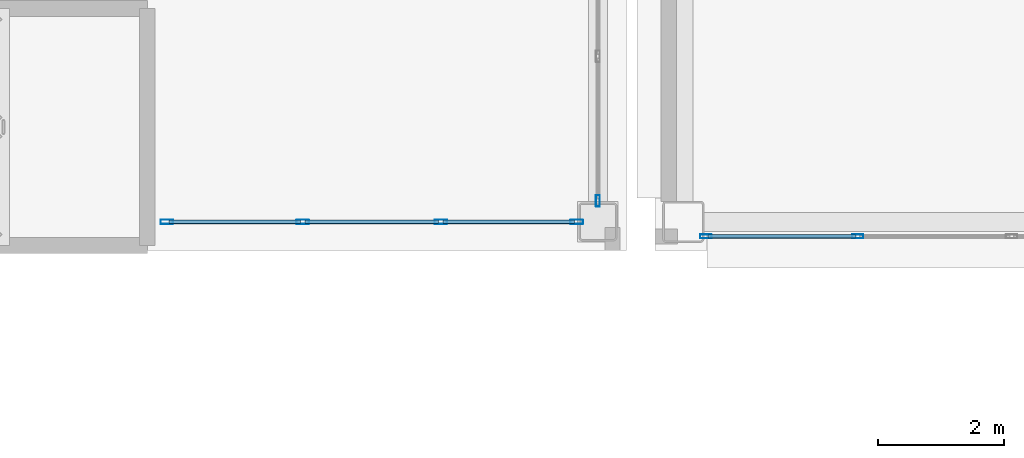
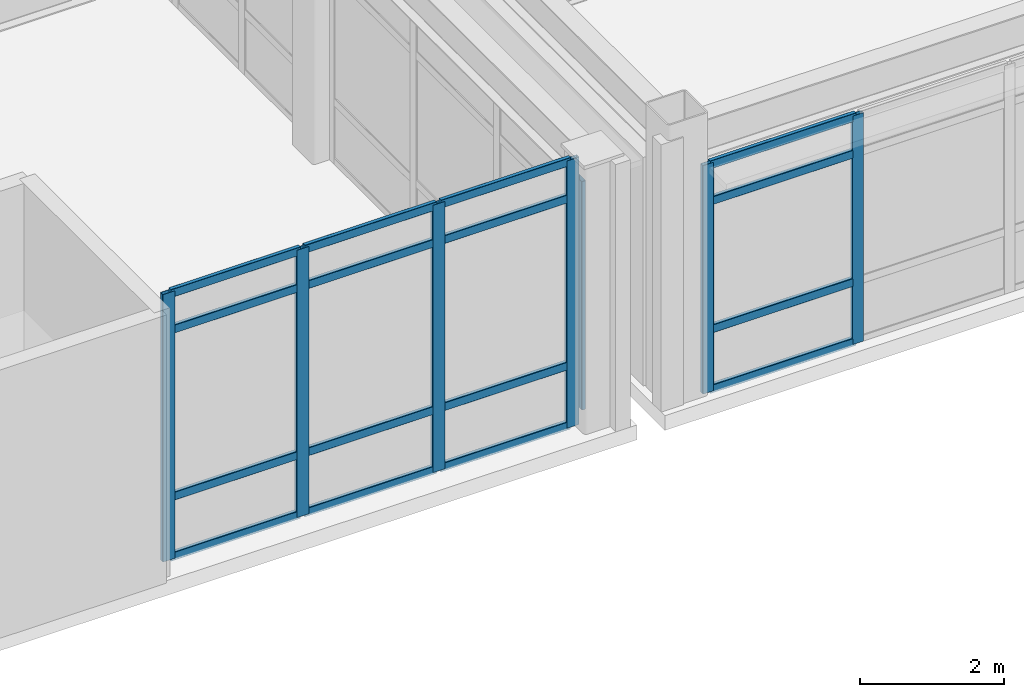
# One storey, part 15 of 172: 23 members, 3 elements without a shape of their own.
"""IFC4 building model written with IfcOpenShell, lengths in metres."""

from ifc_helpers import new_model, si_unit, direction, frame, origin, origin_2d, place, context, subcontext, project, spatial, hollow_rectangle, extrude, material, layer, layer_set, material_profile, profile_set, type_object, element, aggregate, save


model = new_model("IFC4")

# Units and contexts
model_context = context("Model", 3, precision=1e-05, world=origin(), true_north=direction((0.0, 1.0)))
body_context = subcontext(model_context, "Body", "Model", "MODEL_VIEW")
ifc_project = project(units=[si_unit("LENGTHUNIT", "METRE"), si_unit("AREAUNIT", "SQUARE_METRE"), si_unit("VOLUMEUNIT", "CUBIC_METRE"), si_unit("PLANEANGLEUNIT", "RADIAN"), si_unit("MASSUNIT", "GRAM", prefix="KILO")], contexts=[model_context])

# Site, building, storey
site_placement = place(None, origin())
site = spatial("IfcSite", under=ifc_project, at=site_placement, CompositionType="ELEMENT")
building_placement = place(site_placement, origin())
building = spatial("IfcBuilding", under=site, at=building_placement, Name="Kazehara Bluff Congress Hotel", CompositionType="ELEMENT")
storey_placement = place(building_placement, frame((0.0, 0.0, 5.39990234375)))
storey = spatial("IfcBuildingStorey", under=building, at=storey_placement, Name="L01", CompositionType="ELEMENT", Elevation=5.39990234375)

# Curtain wall, member
ifc_material_1 = material(Name="Anodised aluminium", Category="aluminium")
ifc_layer_1 = layer(ifc_material_1, 0.159912109375)
ifc_layer_set_1 = layer_set([ifc_layer_1], Name="Anodised aluminium")
curtain_wall_type_1 = type_object("IfcCurtainWallType", Name="TP-CW-33", PredefinedType="NOTDEFINED", material=ifc_layer_set_1)
curtain_wall_1_placement = place(storey_placement, origin())
curtain_wall_1 = element("IfcCurtainWall", 1, at=curtain_wall_1_placement, inside=storey, type_object=curtain_wall_type_1, Name="L01 curtain wall CW-33 CW-V2-L01-X5835-75", PredefinedType="NOTDEFINED")
ifc_material_2 = material(Name="Anodised aluminium", Category="aluminium")
ifc_material_profile_1 = material_profile(ifc_material_2, hollow_rectangle(XDim=0.06494140625, YDim=0.179931640625, WallThickness=0.00390625, InnerFilletRadius=0.00390625, OuterFilletRadius=0.008056640625, at=origin_2d()))
ifc_profile_set_1 = profile_set([ifc_material_profile_1], Name="Anodised aluminium")
member_type_1 = type_object("IfcMemberType", Name="TP-CWM-02", PredefinedType="MULLION", material=ifc_profile_set_1)
member_1_placement = place(storey_placement, frame((58.35009765625, 0.782470703125, 0.0), z_axis=(0.0, 0.0, 1.0), x_axis=(-1.0, 0.0, 0.0)))
member_1 = element("IfcMember", 2, at=member_1_placement, type_object=member_type_1, Name="CW-33 mullion 1", PredefinedType="MULLION", context=body_context, shape_type="SweptSolid", body=[
    extrude(hollow_rectangle(XDim=0.06494140625, YDim=0.179931640625, WallThickness=0.00390625, InnerFilletRadius=0.00390625, OuterFilletRadius=0.008056640625, at=origin_2d()), origin(), (0.0, 0.0, 1.0), 3.875),
])
aggregate(curtain_wall_1, [member_1])

# Curtain wall, members
ifc_material_3 = material(Name="Anodised aluminium", Category="aluminium")
ifc_layer_2 = layer(ifc_material_3, 0.159912109375)
ifc_layer_set_2 = layer_set([ifc_layer_2], Name="Anodised aluminium")
curtain_wall_type_2 = type_object("IfcCurtainWallType", Name="TP-CW-80", PredefinedType="NOTDEFINED", material=ifc_layer_set_2)
curtain_wall_2_placement = place(storey_placement, origin())
curtain_wall_2 = element("IfcCurtainWall", 3, at=curtain_wall_2_placement, inside=storey, type_object=curtain_wall_type_2, Name="L01 curtain wall CW-80 CW-ENC-V4-L01-6368-22", PredefinedType="NOTDEFINED")
member_2_placement = place(storey_placement, frame((62.458251953125, 0.219970703125, 0.0), z_axis=(0.0, 0.0, 1.0), x_axis=(0.0, -1.0, 0.0)))
member_2 = element("IfcMember", 4, at=member_2_placement, type_object=member_type_1, Name="CW-80 mullion 3", PredefinedType="MULLION", context=body_context, shape_type="SweptSolid", body=[
    extrude(hollow_rectangle(XDim=0.06494140625, YDim=0.179931640625, WallThickness=0.00390625, InnerFilletRadius=0.00390625, OuterFilletRadius=0.008056640625, at=origin_2d()), origin(), (0.0, 0.0, 1.0), 3.875),
])
member_3_placement = place(storey_placement, frame((60.0576171875, 0.219970703125, 0.0), z_axis=(0.0, 0.0, 1.0), x_axis=(0.0, -1.0, 0.0)))
member_3 = element("IfcMember", 5, at=member_3_placement, type_object=member_type_1, Name="CW-80 mullion 4", PredefinedType="MULLION", context=body_context, shape_type="SweptSolid", body=[
    extrude(hollow_rectangle(XDim=0.06494140625, YDim=0.179931640625, WallThickness=0.00390625, InnerFilletRadius=0.00390625, OuterFilletRadius=0.008056640625, at=origin_2d()), origin(), (0.0, 0.0, 1.0), 3.875),
])

ifc_material_4 = material(Name="Anodised aluminium", Category="aluminium")
ifc_layer_3 = layer(ifc_material_4, 0.159912109375)
ifc_layer_set_3 = layer_set([ifc_layer_3], Name="Anodised aluminium")
curtain_wall_type_3 = type_object("IfcCurtainWallType", Name="TP-CW-30", PredefinedType="NOTDEFINED", material=ifc_layer_set_3)
curtain_wall_3_placement = place(storey_placement, origin())
curtain_wall_3 = element("IfcCurtainWall", 6, at=curtain_wall_3_placement, inside=storey, type_object=curtain_wall_type_3, Name="L01 curtain wall CW-30 CW-V2-L01-Y45-5150", PredefinedType="NOTDEFINED")
ifc_material_5 = material(Name="Anodised aluminium", Category="aluminium")
ifc_material_profile_2 = material_profile(ifc_material_5, hollow_rectangle(XDim=0.070068359375, YDim=0.199951171875, WallThickness=0.0048828125, InnerFilletRadius=0.0048828125, OuterFilletRadius=0.010009765625, at=origin_2d()))
ifc_profile_set_2 = profile_set([ifc_material_profile_2], Name="Anodised aluminium")
member_type_2 = type_object("IfcMemberType", Name="TP-CWM-03", PredefinedType="MULLION", material=ifc_profile_set_2)
member_4_placement = place(storey_placement, frame((51.534912109375, 0.449951171875, 0.0), z_axis=(0.0, 0.0, 1.0), x_axis=(0.0, 1.0, 0.0)))
member_4 = element("IfcMember", 7, at=member_4_placement, type_object=member_type_2, Name="CW-30 mullion 1", PredefinedType="MULLION", context=body_context, shape_type="SweptSolid", body=[
    extrude(hollow_rectangle(XDim=0.070068359375, YDim=0.199951171875, WallThickness=0.0048828125, InnerFilletRadius=0.0048828125, OuterFilletRadius=0.010009765625, at=origin_2d()), origin(), (0.0, 0.0, 1.0), 4.53515625),
])
member_5_placement = place(storey_placement, frame((53.683349609375, 0.449951171875, 0.0), z_axis=(0.0, 0.0, 1.0), x_axis=(0.0, 1.0, 0.0)))
member_5 = element("IfcMember", 8, at=member_5_placement, type_object=member_type_2, Name="CW-30 mullion 2", PredefinedType="MULLION", context=body_context, shape_type="SweptSolid", body=[
    extrude(hollow_rectangle(XDim=0.070068359375, YDim=0.199951171875, WallThickness=0.0048828125, InnerFilletRadius=0.0048828125, OuterFilletRadius=0.010009765625, at=origin_2d()), origin(), (0.0, 0.0, 1.0), 4.53515625),
])
member_6_placement = place(storey_placement, frame((55.86669921875, 0.449951171875, 0.0), z_axis=(0.0, 0.0, 1.0), x_axis=(0.0, 1.0, 0.0)))
member_6 = element("IfcMember", 9, at=member_6_placement, type_object=member_type_2, Name="CW-30 mullion 3", PredefinedType="MULLION", context=body_context, shape_type="SweptSolid", body=[
    extrude(hollow_rectangle(XDim=0.070068359375, YDim=0.199951171875, WallThickness=0.0048828125, InnerFilletRadius=0.0048828125, OuterFilletRadius=0.010009765625, at=origin_2d()), origin(), (0.0, 0.0, 1.0), 4.53515625),
])
member_7_placement = place(storey_placement, frame((58.014892578125, 0.449951171875, 0.0), z_axis=(0.0, 0.0, 1.0), x_axis=(0.0, 1.0, 0.0)))
member_7 = element("IfcMember", 10, at=member_7_placement, type_object=member_type_2, Name="CW-30 mullion 4", PredefinedType="MULLION", context=body_context, shape_type="SweptSolid", body=[
    extrude(hollow_rectangle(XDim=0.070068359375, YDim=0.199951171875, WallThickness=0.0048828125, InnerFilletRadius=0.0048828125, OuterFilletRadius=0.010009765625, at=origin_2d()), origin(), (0.0, 0.0, 1.0), 4.53515625),
])
ifc_material_6 = material(Name="Anodised aluminium", Category="aluminium")
ifc_material_profile_3 = material_profile(ifc_material_6, hollow_rectangle(XDim=0.06494140625, YDim=0.139892578125, WallThickness=0.00390625, InnerFilletRadius=0.00390625, OuterFilletRadius=0.008056640625, at=origin_2d()))
ifc_profile_set_3 = profile_set([ifc_material_profile_3], Name="Anodised aluminium")
member_type_3 = type_object("IfcMemberType", Name="TP-CWT-02", PredefinedType="USERDEFINED", material=ifc_profile_set_3)
member_8_placement = place(storey_placement, frame((51.570068359375, 0.449951171875, 0.03271484375), z_axis=(1.0, 0.0, 0.0), x_axis=(0.0, 1.0, 0.0)))
member_8 = element("IfcMember", 11, at=member_8_placement, type_object=member_type_3, Name="CW-30 transom 1.1", ObjectType="TRANSOM", PredefinedType="USERDEFINED", context=body_context, shape_type="SweptSolid", body=[
    extrude(hollow_rectangle(XDim=0.06494140625, YDim=0.139892578125, WallThickness=0.00390625, InnerFilletRadius=0.00390625, OuterFilletRadius=0.008056640625, at=origin_2d()), origin(), (0.0, 0.0, 1.0), 2.078369140625),
])
member_9_placement = place(storey_placement, frame((51.570068359375, 0.449951171875, 1.050048828125), z_axis=(1.0, 0.0, 0.0), x_axis=(0.0, 1.0, 0.0)))
member_9 = element("IfcMember", 12, at=member_9_placement, type_object=member_type_3, Name="CW-30 transom 1.2", ObjectType="TRANSOM", PredefinedType="USERDEFINED", context=body_context, shape_type="SweptSolid", body=[
    extrude(hollow_rectangle(XDim=0.06494140625, YDim=0.139892578125, WallThickness=0.00390625, InnerFilletRadius=0.00390625, OuterFilletRadius=0.008056640625, at=origin_2d()), origin(), (0.0, 0.0, 1.0), 2.078369140625),
])
member_10_placement = place(storey_placement, frame((51.570068359375, 0.449951171875, 3.885009765625), z_axis=(1.0, 0.0, 0.0), x_axis=(0.0, 1.0, 0.0)))
member_10 = element("IfcMember", 13, at=member_10_placement, type_object=member_type_3, Name="CW-30 transom 1.3", ObjectType="TRANSOM", PredefinedType="USERDEFINED", context=body_context, shape_type="SweptSolid", body=[
    extrude(hollow_rectangle(XDim=0.06494140625, YDim=0.139892578125, WallThickness=0.00390625, InnerFilletRadius=0.00390625, OuterFilletRadius=0.008056640625, at=origin_2d()), origin(), (0.0, 0.0, 1.0), 2.078369140625),
])
member_11_placement = place(storey_placement, frame((51.570068359375, 0.449951171875, 4.502685546875), z_axis=(1.0, 0.0, 0.0), x_axis=(0.0, 1.0, 0.0)))
member_11 = element("IfcMember", 14, at=member_11_placement, type_object=member_type_3, Name="CW-30 transom 1.4", ObjectType="TRANSOM", PredefinedType="USERDEFINED", context=body_context, shape_type="SweptSolid", body=[
    extrude(hollow_rectangle(XDim=0.06494140625, YDim=0.139892578125, WallThickness=0.00390625, InnerFilletRadius=0.00390625, OuterFilletRadius=0.008056640625, at=origin_2d()), origin(), (0.0, 0.0, 1.0), 2.078369140625),
])
member_12_placement = place(storey_placement, frame((53.71826171875, 0.449951171875, 0.03271484375), z_axis=(1.0, 0.0, 0.0), x_axis=(0.0, 1.0, 0.0)))
member_12 = element("IfcMember", 15, at=member_12_placement, type_object=member_type_3, Name="CW-30 transom 2.1", ObjectType="TRANSOM", PredefinedType="USERDEFINED", context=body_context, shape_type="SweptSolid", body=[
    extrude(hollow_rectangle(XDim=0.06494140625, YDim=0.139892578125, WallThickness=0.00390625, InnerFilletRadius=0.00390625, OuterFilletRadius=0.008056640625, at=origin_2d()), origin(), (0.0, 0.0, 1.0), 2.113525390625),
])
member_13_placement = place(storey_placement, frame((53.71826171875, 0.449951171875, 1.050048828125), z_axis=(1.0, 0.0, 0.0), x_axis=(0.0, 1.0, 0.0)))
member_13 = element("IfcMember", 16, at=member_13_placement, type_object=member_type_3, Name="CW-30 transom 2.2", ObjectType="TRANSOM", PredefinedType="USERDEFINED", context=body_context, shape_type="SweptSolid", body=[
    extrude(hollow_rectangle(XDim=0.06494140625, YDim=0.139892578125, WallThickness=0.00390625, InnerFilletRadius=0.00390625, OuterFilletRadius=0.008056640625, at=origin_2d()), origin(), (0.0, 0.0, 1.0), 2.113525390625),
])
member_14_placement = place(storey_placement, frame((53.71826171875, 0.449951171875, 3.885009765625), z_axis=(1.0, 0.0, 0.0), x_axis=(0.0, 1.0, 0.0)))
member_14 = element("IfcMember", 17, at=member_14_placement, type_object=member_type_3, Name="CW-30 transom 2.3", ObjectType="TRANSOM", PredefinedType="USERDEFINED", context=body_context, shape_type="SweptSolid", body=[
    extrude(hollow_rectangle(XDim=0.06494140625, YDim=0.139892578125, WallThickness=0.00390625, InnerFilletRadius=0.00390625, OuterFilletRadius=0.008056640625, at=origin_2d()), origin(), (0.0, 0.0, 1.0), 2.113525390625),
])
member_15_placement = place(storey_placement, frame((53.71826171875, 0.449951171875, 4.502685546875), z_axis=(1.0, 0.0, 0.0), x_axis=(0.0, 1.0, 0.0)))
member_15 = element("IfcMember", 18, at=member_15_placement, type_object=member_type_3, Name="CW-30 transom 2.4", ObjectType="TRANSOM", PredefinedType="USERDEFINED", context=body_context, shape_type="SweptSolid", body=[
    extrude(hollow_rectangle(XDim=0.06494140625, YDim=0.139892578125, WallThickness=0.00390625, InnerFilletRadius=0.00390625, OuterFilletRadius=0.008056640625, at=origin_2d()), origin(), (0.0, 0.0, 1.0), 2.113525390625),
])
member_16_placement = place(storey_placement, frame((55.901611328125, 0.449951171875, 0.03271484375), z_axis=(1.0, 0.0, 0.0), x_axis=(0.0, 1.0, 0.0)))
member_16 = element("IfcMember", 19, at=member_16_placement, type_object=member_type_3, Name="CW-30 transom 3.1", ObjectType="TRANSOM", PredefinedType="USERDEFINED", context=body_context, shape_type="SweptSolid", body=[
    extrude(hollow_rectangle(XDim=0.06494140625, YDim=0.139892578125, WallThickness=0.00390625, InnerFilletRadius=0.00390625, OuterFilletRadius=0.008056640625, at=origin_2d()), origin(), (0.0, 0.0, 1.0), 2.078369140625),
])
member_17_placement = place(storey_placement, frame((55.901611328125, 0.449951171875, 1.050048828125), z_axis=(1.0, 0.0, 0.0), x_axis=(0.0, 1.0, 0.0)))
member_17 = element("IfcMember", 20, at=member_17_placement, type_object=member_type_3, Name="CW-30 transom 3.2", ObjectType="TRANSOM", PredefinedType="USERDEFINED", context=body_context, shape_type="SweptSolid", body=[
    extrude(hollow_rectangle(XDim=0.06494140625, YDim=0.139892578125, WallThickness=0.00390625, InnerFilletRadius=0.00390625, OuterFilletRadius=0.008056640625, at=origin_2d()), origin(), (0.0, 0.0, 1.0), 2.078369140625),
])
member_18_placement = place(storey_placement, frame((55.901611328125, 0.449951171875, 3.885009765625), z_axis=(1.0, 0.0, 0.0), x_axis=(0.0, 1.0, 0.0)))
member_18 = element("IfcMember", 21, at=member_18_placement, type_object=member_type_3, Name="CW-30 transom 3.3", ObjectType="TRANSOM", PredefinedType="USERDEFINED", context=body_context, shape_type="SweptSolid", body=[
    extrude(hollow_rectangle(XDim=0.06494140625, YDim=0.139892578125, WallThickness=0.00390625, InnerFilletRadius=0.00390625, OuterFilletRadius=0.008056640625, at=origin_2d()), origin(), (0.0, 0.0, 1.0), 2.078369140625),
])
member_19_placement = place(storey_placement, frame((55.901611328125, 0.449951171875, 4.502685546875), z_axis=(1.0, 0.0, 0.0), x_axis=(0.0, 1.0, 0.0)))
member_19 = element("IfcMember", 22, at=member_19_placement, type_object=member_type_3, Name="CW-30 transom 3.4", ObjectType="TRANSOM", PredefinedType="USERDEFINED", context=body_context, shape_type="SweptSolid", body=[
    extrude(hollow_rectangle(XDim=0.06494140625, YDim=0.139892578125, WallThickness=0.00390625, InnerFilletRadius=0.00390625, OuterFilletRadius=0.008056640625, at=origin_2d()), origin(), (0.0, 0.0, 1.0), 2.078369140625),
])
aggregate(curtain_wall_3, [member_4, member_5, member_6, member_7, member_8, member_9, member_10, member_11, member_12, member_13, member_14, member_15, member_16, member_17, member_18, member_19])

# Member
member_20_placement = place(storey_placement, frame((62.42578125, 0.219970703125, 0.03271484375), z_axis=(-1.0, 0.0, 0.0), x_axis=(0.0, -1.0, 0.0)))
member_20 = element("IfcMember", 23, at=member_20_placement, type_object=member_type_3, Name="CW-80 transom 3.1", ObjectType="TRANSOM", PredefinedType="USERDEFINED", context=body_context, shape_type="SweptSolid", body=[
    extrude(hollow_rectangle(XDim=0.06494140625, YDim=0.139892578125, WallThickness=0.00390625, InnerFilletRadius=0.00390625, OuterFilletRadius=0.008056640625, at=origin_2d()), origin(), (0.0, 0.0, 1.0), 2.335693359375),
])

member_21_placement = place(storey_placement, frame((62.42578125, 0.219970703125, 1.050048828125), z_axis=(-1.0, 0.0, 0.0), x_axis=(0.0, -1.0, 0.0)))
member_21 = element("IfcMember", 24, at=member_21_placement, type_object=member_type_3, Name="CW-80 transom 3.2", ObjectType="TRANSOM", PredefinedType="USERDEFINED", context=body_context, shape_type="SweptSolid", body=[
    extrude(hollow_rectangle(XDim=0.06494140625, YDim=0.139892578125, WallThickness=0.00390625, InnerFilletRadius=0.00390625, OuterFilletRadius=0.008056640625, at=origin_2d()), origin(), (0.0, 0.0, 1.0), 2.335693359375),
])

member_22_placement = place(storey_placement, frame((62.42578125, 0.219970703125, 3.22509765625), z_axis=(-1.0, 0.0, 0.0), x_axis=(0.0, -1.0, 0.0)))
member_22 = element("IfcMember", 25, at=member_22_placement, type_object=member_type_3, Name="CW-80 transom 3.3", ObjectType="TRANSOM", PredefinedType="USERDEFINED", context=body_context, shape_type="SweptSolid", body=[
    extrude(hollow_rectangle(XDim=0.06494140625, YDim=0.139892578125, WallThickness=0.00390625, InnerFilletRadius=0.00390625, OuterFilletRadius=0.008056640625, at=origin_2d()), origin(), (0.0, 0.0, 1.0), 2.335693359375),
])

member_23_placement = place(storey_placement, frame((62.42578125, 0.219970703125, 3.842529296875), z_axis=(-1.0, 0.0, 0.0), x_axis=(0.0, -1.0, 0.0)))
member_23 = element("IfcMember", 26, at=member_23_placement, type_object=member_type_3, Name="CW-80 transom 3.4", ObjectType="TRANSOM", PredefinedType="USERDEFINED", context=body_context, shape_type="SweptSolid", body=[
    extrude(hollow_rectangle(XDim=0.06494140625, YDim=0.139892578125, WallThickness=0.00390625, InnerFilletRadius=0.00390625, OuterFilletRadius=0.008056640625, at=origin_2d()), origin(), (0.0, 0.0, 1.0), 2.335693359375),
])

aggregate(curtain_wall_2, [member_2, member_3, member_20, member_21, member_22, member_23])

save(model, "model.ifc")
